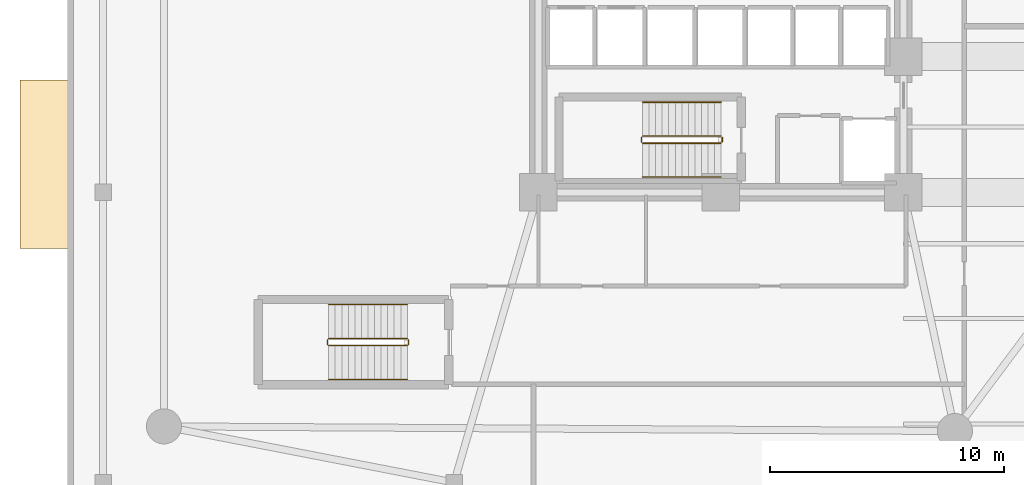
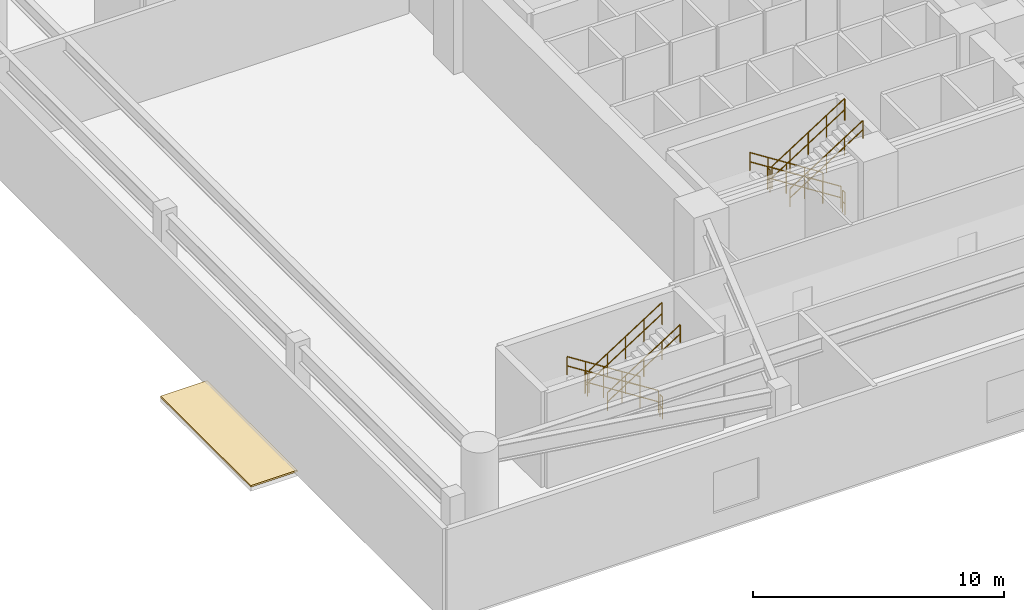
# One storey, part 9 of 11: 12 railings, 1 covering.
"""IFC4 building model written with IfcOpenShell, lengths in metres."""

from ifc_helpers import new_model, si_unit, direction, frame, origin, origin_2d, place, context, subcontext, project, spatial, polyline, circle, outline, extrude, material, layer, layer_set, type_object, element, save


model = new_model("IFC4")

# Units and contexts
model_context = context("Model", 3, precision=1e-05, world=origin(), true_north=direction((0.0, 1.0)))
body_context = subcontext(model_context, "Body", "Model", "MODEL_VIEW")
ifc_project = project(units=[si_unit("LENGTHUNIT", "METRE"), si_unit("AREAUNIT", "SQUARE_METRE"), si_unit("VOLUMEUNIT", "CUBIC_METRE"), si_unit("PLANEANGLEUNIT", "RADIAN"), si_unit("MASSUNIT", "GRAM", prefix="KILO")], contexts=[model_context])

# Site, building, storey
site_placement = place(None, origin())
site = spatial("IfcSite", under=ifc_project, at=site_placement, CompositionType="ELEMENT")
building_placement = place(site_placement, origin())
building = spatial("IfcBuilding", under=site, at=building_placement, Name="An Khanh Terracotta Commons", CompositionType="ELEMENT")
storey_placement = place(building_placement, frame((0.0, 0.0, 19.35009765625)))
storey = spatial("IfcBuildingStorey", under=building, at=storey_placement, Name="L05", CompositionType="ELEMENT", Elevation=19.35009765625)

# Covering
ifc_material_1 = material(Name="Planted Garden Waterproofing Membrane")
ifc_layer = layer(ifc_material_1, 0.080078125, Name="Planted Garden Waterproofing Membrane")
ifc_layer_set = layer_set([ifc_layer], Name="Planted Garden Waterproofing Membrane")
covering_type = type_object("IfcCoveringType", Name="COV-ROOFING-GREEN", PredefinedType="ROOFING", material=ifc_layer_set)
covering_placement = place(storey_placement, origin())
element("IfcCovering", 1, at=covering_placement, inside=storey, type_object=covering_type, Name="L05 Corner Box Roof Waterproofing (L04)", PredefinedType="ROOFING", context=body_context, shape_type="SweptSolid", body=[
    extrude(outline(polyline([(-0.550048828125, 12.0), (1.60009765625, 12.0), (1.60009765625, 19.199951171875), (-0.550048828125, 19.199951171875), (-0.550048828125, 12.0)])), origin(), (0.0, 0.0, 1.0), 0.079833984375),
])

# Railings
ifc_material_2 = material(Name="Brushed Stainless Steel 316", Category="steel")
railing_type_1 = type_object("IfcRailingType", Name="RAIL-HANDRAIL-900", PredefinedType="HANDRAIL", material=ifc_material_2)
railing_1_placement = place(storey_placement, frame((29.409912109375, 18.25, 0.1787109375)))
element("IfcRailing", 2, at=railing_1_placement, inside=storey, type_object=railing_type_1, Name="L05 ST-02 stair handrail 1", PredefinedType="HANDRAIL", context=body_context, shape_type="SweptSolid", body=[
    extrude(circle(Radius=0.02392578125, at=origin_2d()), frame((0.0, 0.0, 0.8759765625), z_axis=(-0.842734844946, 0.0, 0.538328878209), x_axis=(0.0, -1.0, 0.0)), (0.0, 0.0, 1.0), 3.98681640625),
    extrude(circle(Radius=0.02392578125, at=origin_2d()), frame((0.0, 0.0, 0.42578125), z_axis=(-0.842734844946, 0.0, 0.538328878209), x_axis=(0.0, -1.0, 0.0)), (0.0, 0.0, 1.0), 3.98681640625),
    extrude(circle(Radius=0.02099609375, at=origin_2d()), origin(), (0.0, 0.0, 1.0), 0.851806640625),
    extrude(circle(Radius=0.02099609375, at=origin_2d()), frame((-0.83984375, 0.0, 0.53662109375)), (0.0, 0.0, 1.0), 0.851806640625),
    extrude(circle(Radius=0.02099609375, at=origin_2d()), frame((-1.679931640625, 0.0, 1.0732421875)), (0.0, 0.0, 1.0), 0.851806640625),
    extrude(circle(Radius=0.02099609375, at=origin_2d()), frame((-2.52001953125, 0.0, 1.609619140625)), (0.0, 0.0, 1.0), 0.851806640625),
    extrude(circle(Radius=0.02099609375, at=origin_2d()), frame((-3.35986328125, 0.0, 2.146240234375)), (0.0, 0.0, 1.0), 0.851806640625),
])
railing_2_placement = place(storey_placement, frame((26.050048828125, 15.050048828125, 2.503662109375)))
element("IfcRailing", 3, at=railing_2_placement, inside=storey, type_object=railing_type_1, Name="L05 ST-02 stair handrail 2", PredefinedType="HANDRAIL", context=body_context, shape_type="SweptSolid", body=[
    extrude(circle(Radius=0.02392578125, at=origin_2d()), frame((0.0, 0.0, 0.8759765625), z_axis=(0.842734844946, 0.0, 0.538328878209), x_axis=(0.0, 1.0, 0.0)), (0.0, 0.0, 1.0), 3.98681640625),
    extrude(circle(Radius=0.02392578125, at=origin_2d()), frame((0.0, 0.0, 0.42578125), z_axis=(0.842734844946, 0.0, 0.538328878209), x_axis=(0.0, 1.0, 0.0)), (0.0, 0.0, 1.0), 3.98681640625),
    extrude(circle(Radius=0.02099609375, at=origin_2d()), origin(), (0.0, 0.0, 1.0), 0.851806640625),
    extrude(circle(Radius=0.02099609375, at=origin_2d()), frame((0.83984375, 0.0, 0.53662109375)), (0.0, 0.0, 1.0), 0.851806640625),
    extrude(circle(Radius=0.02099609375, at=origin_2d()), frame((1.679931640625, 0.0, 1.0732421875)), (0.0, 0.0, 1.0), 0.851806640625),
    extrude(circle(Radius=0.02099609375, at=origin_2d()), frame((2.52001953125, 0.0, 1.609619140625)), (0.0, 0.0, 1.0), 0.851806640625),
    extrude(circle(Radius=0.02099609375, at=origin_2d()), frame((3.35986328125, 0.0, 2.146240234375)), (0.0, 0.0, 1.0), 0.851806640625),
])
railing_3_placement = place(storey_placement, frame((16.0, 9.60009765625, 0.1787109375)))
element("IfcRailing", 4, at=railing_3_placement, inside=storey, type_object=railing_type_1, Name="L05 ST-P1 stair handrail 1", PredefinedType="HANDRAIL", context=body_context, shape_type="SweptSolid", body=[
    extrude(circle(Radius=0.02392578125, at=origin_2d()), frame((0.0, 0.0, 0.8759765625), z_axis=(-0.842752589747, 0.0, 0.538301098341), x_axis=(0.0, -1.0, 0.0)), (0.0, 0.0, 1.0), 3.987060546875),
    extrude(circle(Radius=0.02392578125, at=origin_2d()), frame((0.0, 0.0, 0.42578125), z_axis=(-0.842752589747, 0.0, 0.538301098341), x_axis=(0.0, -1.0, 0.0)), (0.0, 0.0, 1.0), 3.987060546875),
    extrude(circle(Radius=0.02099609375, at=origin_2d()), origin(), (0.0, 0.0, 1.0), 0.851806640625),
    extrude(circle(Radius=0.02099609375, at=origin_2d()), frame((-0.840087890625, 0.0, 0.53662109375)), (0.0, 0.0, 1.0), 0.851806640625),
    extrude(circle(Radius=0.02099609375, at=origin_2d()), frame((-1.68017578125, 0.0, 1.0732421875)), (0.0, 0.0, 1.0), 0.851806640625),
    extrude(circle(Radius=0.02099609375, at=origin_2d()), frame((-2.52001953125, 0.0, 1.609619140625)), (0.0, 0.0, 1.0), 0.851806640625),
    extrude(circle(Radius=0.02099609375, at=origin_2d()), frame((-3.360107421875, 0.0, 2.146240234375)), (0.0, 0.0, 1.0), 0.851806640625),
])
railing_4_placement = place(storey_placement, frame((12.639892578125, 6.39990234375, 2.503662109375)))
element("IfcRailing", 5, at=railing_4_placement, inside=storey, type_object=railing_type_1, Name="L05 ST-P1 stair handrail 2", PredefinedType="HANDRAIL", context=body_context, shape_type="SweptSolid", body=[
    extrude(circle(Radius=0.02392578125, at=origin_2d()), frame((0.0, 0.0, 0.8759765625), z_axis=(0.842752589747, 0.0, 0.538301098341), x_axis=(0.0, 1.0, 0.0)), (0.0, 0.0, 1.0), 3.987060546875),
    extrude(circle(Radius=0.02392578125, at=origin_2d()), frame((0.0, 0.0, 0.42578125), z_axis=(0.842752589747, 0.0, 0.538301098341), x_axis=(0.0, 1.0, 0.0)), (0.0, 0.0, 1.0), 3.987060546875),
    extrude(circle(Radius=0.02099609375, at=origin_2d()), origin(), (0.0, 0.0, 1.0), 0.851806640625),
    extrude(circle(Radius=0.02099609375, at=origin_2d()), frame((0.840087890625, 0.0, 0.53662109375)), (0.0, 0.0, 1.0), 0.851806640625),
    extrude(circle(Radius=0.02099609375, at=origin_2d()), frame((1.68017578125, 0.0, 1.0732421875)), (0.0, 0.0, 1.0), 0.851806640625),
    extrude(circle(Radius=0.02099609375, at=origin_2d()), frame((2.52001953125, 0.0, 1.609619140625)), (0.0, 0.0, 1.0), 0.851806640625),
    extrude(circle(Radius=0.02099609375, at=origin_2d()), frame((3.360107421875, 0.0, 2.146240234375)), (0.0, 0.0, 1.0), 0.851806640625),
])
ifc_material_3 = material(Name="Powder-Coated Steel S355J2", Category="steel")
railing_type_2 = type_object("IfcRailingType", Name="RAIL-STAIR-GUARD-1100", PredefinedType="BALUSTRADE", material=ifc_material_3)
railing_5_placement = place(storey_placement, frame((29.409912109375, 16.800048828125, 0.1787109375)))
element("IfcRailing", 6, at=railing_5_placement, inside=storey, type_object=railing_type_2, Name="L05 ST-02 stair guard 1", PredefinedType="BALUSTRADE", context=body_context, shape_type="SweptSolid", body=[
    extrude(circle(Radius=0.02392578125, at=origin_2d()), frame((0.0, 0.0, 1.076171875), z_axis=(-0.842734844946, 0.0, 0.538328878209), x_axis=(0.0, -1.0, 0.0)), (0.0, 0.0, 1.0), 3.98681640625),
    extrude(circle(Radius=0.02392578125, at=origin_2d()), frame((0.0, 0.0, 0.52587890625), z_axis=(-0.842734844946, 0.0, 0.538328878209), x_axis=(0.0, -1.0, 0.0)), (0.0, 0.0, 1.0), 3.98681640625),
    extrude(circle(Radius=0.02099609375, at=origin_2d()), origin(), (0.0, 0.0, 1.0), 1.052001953125),
    extrude(circle(Radius=0.02099609375, at=origin_2d()), frame((-0.83984375, 0.0, 0.53662109375)), (0.0, 0.0, 1.0), 1.052001953125),
    extrude(circle(Radius=0.02099609375, at=origin_2d()), frame((-1.679931640625, 0.0, 1.0732421875)), (0.0, 0.0, 1.0), 1.052001953125),
    extrude(circle(Radius=0.02099609375, at=origin_2d()), frame((-2.52001953125, 0.0, 1.609619140625)), (0.0, 0.0, 1.0), 1.052001953125),
    extrude(circle(Radius=0.02099609375, at=origin_2d()), frame((-3.35986328125, 0.0, 2.146240234375)), (0.0, 0.0, 1.0), 1.052001953125),
])
railing_6_placement = place(storey_placement, frame((26.0, 16.75, 2.324951171875)))
element("IfcRailing", 7, at=railing_6_placement, inside=storey, type_object=railing_type_2, Name="L05 ST-02 stair guard 2", PredefinedType="BALUSTRADE", context=body_context, shape_type="SweptSolid", body=[
    extrude(circle(Radius=0.02392578125, at=origin_2d()), frame((0.0, 0.0, 1.076171875), z_axis=(0.0, -1.0, 0.0), x_axis=(1.0, 0.0, 0.0)), (0.0, 0.0, 1.0), 0.199951171875),
    extrude(circle(Radius=0.02392578125, at=origin_2d()), frame((0.0, 0.0, 0.52587890625), z_axis=(0.0, -1.0, 0.0), x_axis=(1.0, 0.0, 0.0)), (0.0, 0.0, 1.0), 0.199951171875),
    extrude(circle(Radius=0.02099609375, at=origin_2d()), origin(), (0.0, 0.0, 1.0), 1.052001953125),
    extrude(circle(Radius=0.02099609375, at=origin_2d()), frame((0.0, -0.199951171875, 0.0)), (0.0, 0.0, 1.0), 1.052001953125),
])
railing_7_placement = place(storey_placement, frame((26.050048828125, 16.5, 2.503662109375)))
element("IfcRailing", 8, at=railing_7_placement, inside=storey, type_object=railing_type_2, Name="L05 ST-02 stair guard 3", PredefinedType="BALUSTRADE", context=body_context, shape_type="SweptSolid", body=[
    extrude(circle(Radius=0.02392578125, at=origin_2d()), frame((0.0, 0.0, 1.076171875), z_axis=(0.842734844946, 0.0, 0.538328878209), x_axis=(0.0, 1.0, 0.0)), (0.0, 0.0, 1.0), 3.98681640625),
    extrude(circle(Radius=0.02392578125, at=origin_2d()), frame((0.0, 0.0, 0.52587890625), z_axis=(0.842734844946, 0.0, 0.538328878209), x_axis=(0.0, 1.0, 0.0)), (0.0, 0.0, 1.0), 3.98681640625),
    extrude(circle(Radius=0.02099609375, at=origin_2d()), origin(), (0.0, 0.0, 1.0), 1.052001953125),
    extrude(circle(Radius=0.02099609375, at=origin_2d()), frame((0.83984375, 0.0, 0.53662109375)), (0.0, 0.0, 1.0), 1.052001953125),
    extrude(circle(Radius=0.02099609375, at=origin_2d()), frame((1.679931640625, 0.0, 1.0732421875)), (0.0, 0.0, 1.0), 1.052001953125),
    extrude(circle(Radius=0.02099609375, at=origin_2d()), frame((2.52001953125, 0.0, 1.609619140625)), (0.0, 0.0, 1.0), 1.052001953125),
    extrude(circle(Radius=0.02099609375, at=origin_2d()), frame((3.35986328125, 0.0, 2.146240234375)), (0.0, 0.0, 1.0), 1.052001953125),
])
railing_8_placement = place(storey_placement, frame((29.4599609375, 16.75, 0.0)))
element("IfcRailing", 9, at=railing_8_placement, inside=storey, type_object=railing_type_2, Name="L05 ST-02 stair guard 4", PredefinedType="BALUSTRADE", context=body_context, shape_type="SweptSolid", body=[
    extrude(circle(Radius=0.02392578125, at=origin_2d()), frame((0.0, 0.0, 1.076171875), z_axis=(0.0, -1.0, 0.0), x_axis=(1.0, 0.0, 0.0)), (0.0, 0.0, 1.0), 0.199951171875),
    extrude(circle(Radius=0.02392578125, at=origin_2d()), frame((0.0, 0.0, 0.52587890625), z_axis=(0.0, -1.0, 0.0), x_axis=(1.0, 0.0, 0.0)), (0.0, 0.0, 1.0), 0.199951171875),
    extrude(circle(Radius=0.02099609375, at=origin_2d()), origin(), (0.0, 0.0, 1.0), 1.052001953125),
    extrude(circle(Radius=0.02099609375, at=origin_2d()), frame((0.0, -0.199951171875, 0.0)), (0.0, 0.0, 1.0), 1.052001953125),
])
railing_9_placement = place(storey_placement, frame((16.0, 8.14990234375, 0.1787109375)))
element("IfcRailing", 10, at=railing_9_placement, inside=storey, type_object=railing_type_2, Name="L05 ST-P1 stair guard 1", PredefinedType="BALUSTRADE", context=body_context, shape_type="SweptSolid", body=[
    extrude(circle(Radius=0.02392578125, at=origin_2d()), frame((0.0, 0.0, 1.076171875), z_axis=(-0.842752589747, 0.0, 0.538301098341), x_axis=(0.0, -1.0, 0.0)), (0.0, 0.0, 1.0), 3.987060546875),
    extrude(circle(Radius=0.02392578125, at=origin_2d()), frame((0.0, 0.0, 0.52587890625), z_axis=(-0.842752589747, 0.0, 0.538301098341), x_axis=(0.0, -1.0, 0.0)), (0.0, 0.0, 1.0), 3.987060546875),
    extrude(circle(Radius=0.02099609375, at=origin_2d()), origin(), (0.0, 0.0, 1.0), 1.052001953125),
    extrude(circle(Radius=0.02099609375, at=origin_2d()), frame((-0.840087890625, 0.0, 0.53662109375)), (0.0, 0.0, 1.0), 1.052001953125),
    extrude(circle(Radius=0.02099609375, at=origin_2d()), frame((-1.68017578125, 0.0, 1.0732421875)), (0.0, 0.0, 1.0), 1.052001953125),
    extrude(circle(Radius=0.02099609375, at=origin_2d()), frame((-2.52001953125, 0.0, 1.609619140625)), (0.0, 0.0, 1.0), 1.052001953125),
    extrude(circle(Radius=0.02099609375, at=origin_2d()), frame((-3.360107421875, 0.0, 2.146240234375)), (0.0, 0.0, 1.0), 1.052001953125),
])
railing_10_placement = place(storey_placement, frame((12.590087890625, 8.10009765625, 2.324951171875)))
element("IfcRailing", 11, at=railing_10_placement, inside=storey, type_object=railing_type_2, Name="L05 ST-P1 stair guard 2", PredefinedType="BALUSTRADE", context=body_context, shape_type="SweptSolid", body=[
    extrude(circle(Radius=0.02392578125, at=origin_2d()), frame((0.0, 0.0, 1.076171875), z_axis=(0.0, -1.0, 0.0), x_axis=(1.0, 0.0, 0.0)), (0.0, 0.0, 1.0), 0.2001953125),
    extrude(circle(Radius=0.02392578125, at=origin_2d()), frame((0.0, 0.0, 0.52587890625), z_axis=(0.0, -1.0, 0.0), x_axis=(1.0, 0.0, 0.0)), (0.0, 0.0, 1.0), 0.2001953125),
    extrude(circle(Radius=0.02099609375, at=origin_2d()), origin(), (0.0, 0.0, 1.0), 1.052001953125),
    extrude(circle(Radius=0.02099609375, at=origin_2d()), frame((0.0, -0.2001953125, 0.0)), (0.0, 0.0, 1.0), 1.052001953125),
])
railing_11_placement = place(storey_placement, frame((12.639892578125, 7.85009765625, 2.503662109375)))
element("IfcRailing", 12, at=railing_11_placement, inside=storey, type_object=railing_type_2, Name="L05 ST-P1 stair guard 3", PredefinedType="BALUSTRADE", context=body_context, shape_type="SweptSolid", body=[
    extrude(circle(Radius=0.02392578125, at=origin_2d()), frame((0.0, 0.0, 1.076171875), z_axis=(0.842752589747, 0.0, 0.538301098341), x_axis=(0.0, 1.0, 0.0)), (0.0, 0.0, 1.0), 3.987060546875),
    extrude(circle(Radius=0.02392578125, at=origin_2d()), frame((0.0, 0.0, 0.52587890625), z_axis=(0.842752589747, 0.0, 0.538301098341), x_axis=(0.0, 1.0, 0.0)), (0.0, 0.0, 1.0), 3.987060546875),
    extrude(circle(Radius=0.02099609375, at=origin_2d()), origin(), (0.0, 0.0, 1.0), 1.052001953125),
    extrude(circle(Radius=0.02099609375, at=origin_2d()), frame((0.840087890625, 0.0, 0.53662109375)), (0.0, 0.0, 1.0), 1.052001953125),
    extrude(circle(Radius=0.02099609375, at=origin_2d()), frame((1.68017578125, 0.0, 1.0732421875)), (0.0, 0.0, 1.0), 1.052001953125),
    extrude(circle(Radius=0.02099609375, at=origin_2d()), frame((2.52001953125, 0.0, 1.609619140625)), (0.0, 0.0, 1.0), 1.052001953125),
    extrude(circle(Radius=0.02099609375, at=origin_2d()), frame((3.360107421875, 0.0, 2.146240234375)), (0.0, 0.0, 1.0), 1.052001953125),
])
railing_12_placement = place(storey_placement, frame((16.050048828125, 8.10009765625, 0.0)))
element("IfcRailing", 13, at=railing_12_placement, inside=storey, type_object=railing_type_2, Name="L05 ST-P1 stair guard 4", PredefinedType="BALUSTRADE", context=body_context, shape_type="SweptSolid", body=[
    extrude(circle(Radius=0.02392578125, at=origin_2d()), frame((0.0, 0.0, 1.076171875), z_axis=(0.0, -1.0, 0.0), x_axis=(1.0, 0.0, 0.0)), (0.0, 0.0, 1.0), 0.2001953125),
    extrude(circle(Radius=0.02392578125, at=origin_2d()), frame((0.0, 0.0, 0.52587890625), z_axis=(0.0, -1.0, 0.0), x_axis=(1.0, 0.0, 0.0)), (0.0, 0.0, 1.0), 0.2001953125),
    extrude(circle(Radius=0.02099609375, at=origin_2d()), origin(), (0.0, 0.0, 1.0), 1.052001953125),
    extrude(circle(Radius=0.02099609375, at=origin_2d()), frame((0.0, -0.2001953125, 0.0)), (0.0, 0.0, 1.0), 1.052001953125),
])

save(model, "model.ifc")
